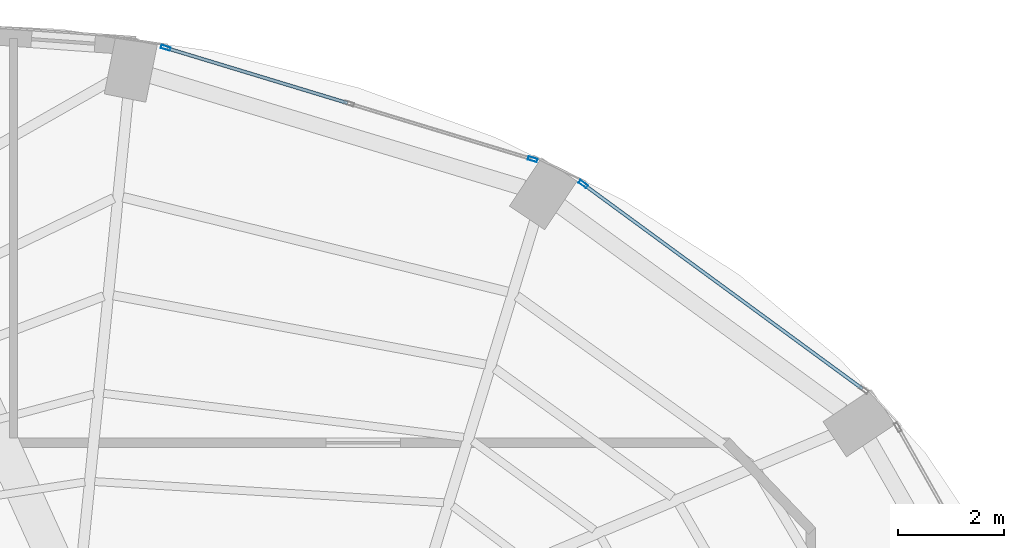
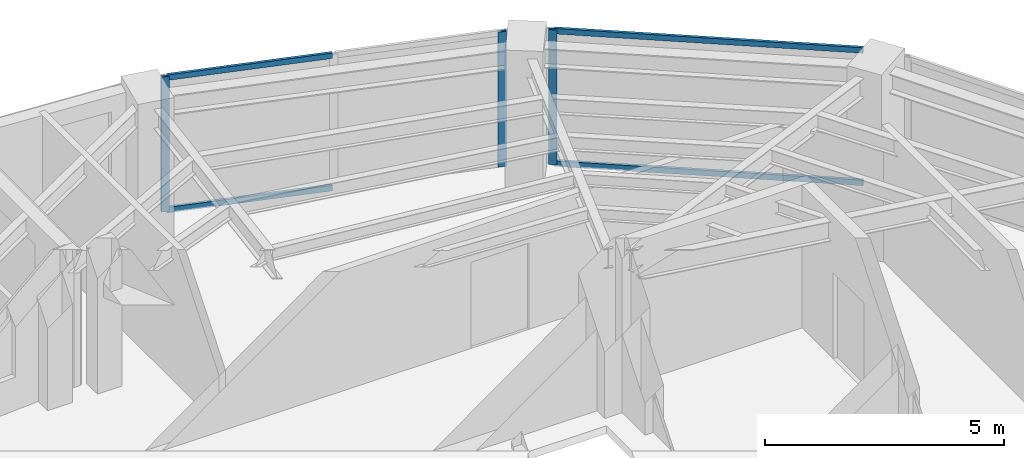
# One storey, part 17 of 22: 7 members, 2 elements without a shape of their own.
"""IFC4 building model written with IfcOpenShell, lengths in metres."""

from ifc_helpers import new_model, si_unit, direction, frame, origin, origin_2d, place, context, subcontext, project, spatial, hollow_rectangle, extrude, material, layer, layer_set, material_profile, profile_set, type_object, element, aggregate, save


model = new_model("IFC4")

# Units and contexts
model_context = context("Model", 3, precision=1e-05, world=origin(), true_north=direction((0.0, 1.0)))
body_context = subcontext(model_context, "Body", "Model", "MODEL_VIEW")
ifc_project = project(units=[si_unit("LENGTHUNIT", "METRE"), si_unit("AREAUNIT", "SQUARE_METRE"), si_unit("VOLUMEUNIT", "CUBIC_METRE"), si_unit("PLANEANGLEUNIT", "RADIAN"), si_unit("MASSUNIT", "GRAM", prefix="KILO")], contexts=[model_context])

# Site, building, storey
site_placement = place(None, origin())
site = spatial("IfcSite", under=ifc_project, at=site_placement, CompositionType="ELEMENT")
building_placement = place(site_placement, origin())
building = spatial("IfcBuilding", under=site, at=building_placement, Name="Lazwardi Medical Tower", CompositionType="ELEMENT")
storey_placement = place(building_placement, frame((0.0, 0.0, 258.672119140625)))
storey = spatial("IfcBuildingStorey", under=building, at=storey_placement, Name="L67", CompositionType="ELEMENT", Elevation=258.672119140625)

# Curtain wall, member
ifc_material_1 = material(Name="Anodised bronze aluminium and solar control glazing", Category="aluminium")
ifc_layer = layer(ifc_material_1, 0.18994140625)
ifc_layer_set = layer_set([ifc_layer], Name="Anodised bronze aluminium and solar control glazing")
curtain_wall_type = type_object("IfcCurtainWallType", Name="CW-SYS-04", PredefinedType="NOTDEFINED", material=ifc_layer_set)
curtain_wall_1_placement = place(storey_placement, origin())
curtain_wall_1 = element("IfcCurtainWall", 1, at=curtain_wall_1_placement, inside=storey, type_object=curtain_wall_type, Name="L67 Unitised bronze curtain wall CW-04", PredefinedType="NOTDEFINED")
ifc_material_2 = material(Name="Anodised bronze aluminium", Category="aluminium")
ifc_material_profile_1 = material_profile(ifc_material_2, hollow_rectangle(XDim=0.06494140625, YDim=0.179931640625, WallThickness=0.00390625, at=origin_2d()), Name="ALU-MULLION 180x65x4")
ifc_profile_set_1 = profile_set([ifc_material_profile_1], Name="Anodised bronze aluminium")
member_type_1 = type_object("IfcMemberType", Name="CW-MUL-03", PredefinedType="MULLION", material=ifc_profile_set_1)
member_1_placement = place(storey_placement, frame((48.75537109375, 43.634765625, 0.0), z_axis=(0.0, 0.0, 1.0), x_axis=(-0.591268230971, -0.806474971121, 0.0)))
member_1 = element("IfcMember", 2, at=member_1_placement, type_object=member_type_1, Name="CW-04 mullion 2", PredefinedType="MULLION", context=body_context, shape_type="SweptSolid", body=[
    extrude(hollow_rectangle(XDim=0.06494140625, YDim=0.179931640625, WallThickness=0.00390625, at=origin_2d()), origin(), (0.0, 0.0, 1.0), 3.447998046875),
])

# Curtain wall, members
curtain_wall_2_placement = place(storey_placement, origin())
curtain_wall_2 = element("IfcCurtainWall", 3, at=curtain_wall_2_placement, inside=storey, type_object=curtain_wall_type, Name="L67 Unitised bronze curtain wall CW-04", PredefinedType="NOTDEFINED")
member_2_placement = place(storey_placement, frame((47.7998046875, 44.103515625, 0.0), z_axis=(0.0, 0.0, 1.0), x_axis=(-0.290581889515, -0.956850126972, 0.0)))
member_2 = element("IfcMember", 4, at=member_2_placement, type_object=member_type_1, Name="CW-04 mullion 1", PredefinedType="MULLION", context=body_context, shape_type="SweptSolid", body=[
    extrude(hollow_rectangle(XDim=0.06494140625, YDim=0.179931640625, WallThickness=0.00390625, at=origin_2d()), origin(), (0.0, 0.0, 1.0), 3.447998046875),
])
member_3_placement = place(storey_placement, frame((40.873046875, 46.20703125, 0.0), z_axis=(0.0, 0.0, 1.0), x_axis=(-0.290581889515, -0.956850126972, 0.0)))
member_3 = element("IfcMember", 5, at=member_3_placement, type_object=member_type_1, Name="CW-04 mullion 3", PredefinedType="MULLION", context=body_context, shape_type="SweptSolid", body=[
    extrude(hollow_rectangle(XDim=0.06494140625, YDim=0.179931640625, WallThickness=0.00390625, at=origin_2d()), origin(), (0.0, 0.0, 1.0), 3.447998046875),
])

# Member
ifc_material_profile_2 = material_profile(ifc_material_2, hollow_rectangle(XDim=0.06494140625, YDim=0.139892578125, WallThickness=0.00341796875, at=origin_2d()), Name="ALU-TRANSOM 140x65x3.5")
ifc_profile_set_2 = profile_set([ifc_material_profile_2], Name="Anodised bronze aluminium")
member_type_2 = type_object("IfcMemberType", Name="CW-TRN-03", PredefinedType="USERDEFINED", material=ifc_profile_set_2)
member_4_placement = place(storey_placement, frame((54.02587890625, 39.770751953125, 0.032470703125), z_axis=(-0.806471831148, 0.591272513791, 0.0), x_axis=(-0.591272513791, -0.806471831148, 0.0)))
member_4 = element("IfcMember", 6, at=member_4_placement, type_object=member_type_2, Name="CW-04 transom 1.1", ObjectType="TRANSOM", PredefinedType="USERDEFINED", context=body_context, shape_type="SweptSolid", body=[
    extrude(hollow_rectangle(XDim=0.06494140625, YDim=0.139892578125, WallThickness=0.00341796875, at=origin_2d()), origin(), (0.0, 0.0, 1.0), 6.5029296875),
])

member_5_placement = place(storey_placement, frame((54.02587890625, 39.770751953125, 3.415283203125), z_axis=(-0.806471831148, 0.591272513791, 0.0), x_axis=(-0.591272513791, -0.806471831148, 0.0)))
member_5 = element("IfcMember", 7, at=member_5_placement, type_object=member_type_2, Name="CW-04 transom 1.2", ObjectType="TRANSOM", PredefinedType="USERDEFINED", context=body_context, shape_type="SweptSolid", body=[
    extrude(hollow_rectangle(XDim=0.06494140625, YDim=0.139892578125, WallThickness=0.00341796875, at=origin_2d()), origin(), (0.0, 0.0, 1.0), 6.5029296875),
])

aggregate(curtain_wall_1, [member_1, member_4, member_5])

member_6_placement = place(storey_placement, frame((44.305419921875, 45.164794921875, 0.032470703125), z_axis=(-0.956862505902, 0.290541124109, 0.0), x_axis=(-0.290541124109, -0.956862505902, 0.0)))
member_6 = element("IfcMember", 8, at=member_6_placement, type_object=member_type_2, Name="CW-04 transom 2.1", ObjectType="TRANSOM", PredefinedType="USERDEFINED", context=body_context, shape_type="SweptSolid", body=[
    extrude(hollow_rectangle(XDim=0.06494140625, YDim=0.139892578125, WallThickness=0.00341796875, at=origin_2d()), origin(), (0.0, 0.0, 1.0), 3.554443359375),
])

member_7_placement = place(storey_placement, frame((44.305419921875, 45.164794921875, 3.415283203125), z_axis=(-0.956862505902, 0.290541124109, 0.0), x_axis=(-0.290541124109, -0.956862505902, 0.0)))
member_7 = element("IfcMember", 9, at=member_7_placement, type_object=member_type_2, Name="CW-04 transom 2.2", ObjectType="TRANSOM", PredefinedType="USERDEFINED", context=body_context, shape_type="SweptSolid", body=[
    extrude(hollow_rectangle(XDim=0.06494140625, YDim=0.139892578125, WallThickness=0.00341796875, at=origin_2d()), origin(), (0.0, 0.0, 1.0), 3.554443359375),
])

aggregate(curtain_wall_2, [member_2, member_3, member_6, member_7])

save(model, "model.ifc")
